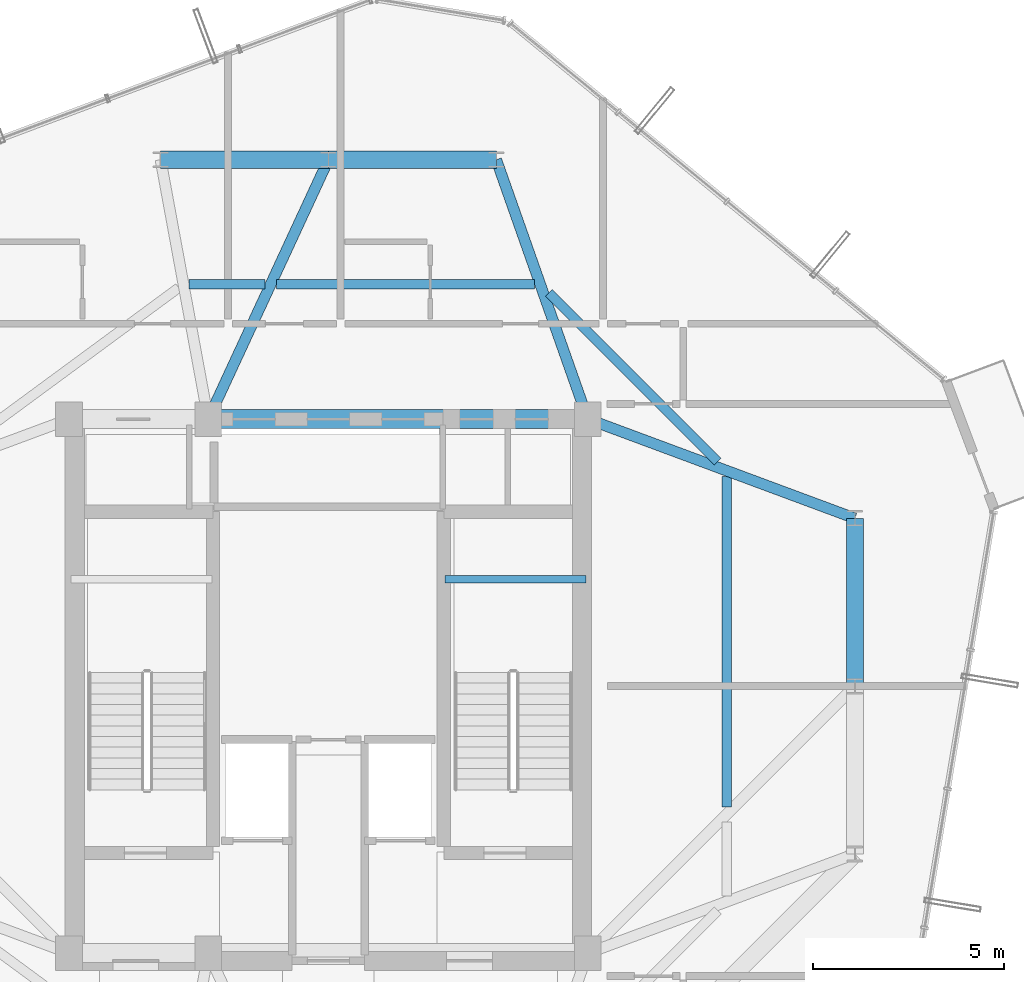
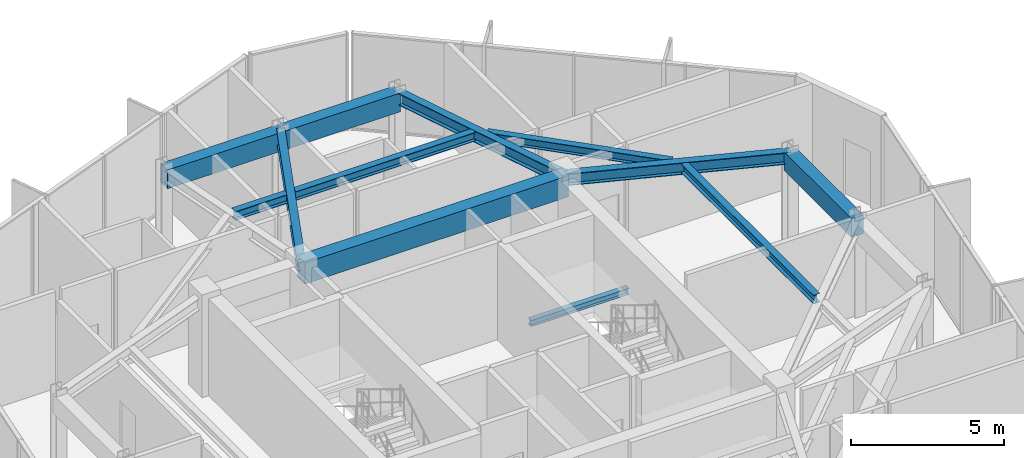
# One storey, part 11 of 22: 12 beams.
"""IFC4 building model written with IfcOpenShell, lengths in metres."""

from ifc_helpers import new_model, si_unit, direction, frame, origin, origin_2d, place, context, subcontext, project, spatial, rectangle, i_section, extrude, material, material_profile, profile_set, type_object, element, save


model = new_model("IFC4")

# Units and contexts
model_context = context("Model", 3, precision=1e-05, world=origin(), true_north=direction((0.0, 1.0)))
body_context = subcontext(model_context, "Body", "Model", "MODEL_VIEW")
ifc_project = project(units=[si_unit("LENGTHUNIT", "METRE"), si_unit("AREAUNIT", "SQUARE_METRE"), si_unit("VOLUMEUNIT", "CUBIC_METRE"), si_unit("PLANEANGLEUNIT", "RADIAN"), si_unit("MASSUNIT", "GRAM", prefix="KILO")], contexts=[model_context])

# Site, building, storey
site_placement = place(None, origin())
site = spatial("IfcSite", under=ifc_project, at=site_placement, CompositionType="ELEMENT")
building_placement = place(site_placement, origin())
building = spatial("IfcBuilding", under=site, at=building_placement, Name="Veraguas Prism Commons", CompositionType="ELEMENT")
storey_placement = place(building_placement, frame((0.0, 0.0, 240.64990234375)))
storey = spatial("IfcBuildingStorey", under=building, at=storey_placement, Name="L68", CompositionType="ELEMENT", Elevation=240.64990234375)

# Beams
ifc_material_1 = material(Name="Concrete C50/60", Category="concrete")
ifc_material_profile_1 = material_profile(ifc_material_1, rectangle(XDim=0.5, YDim=0.85009765625, at=origin_2d()), Name="RC500X850")
ifc_profile_set_1 = profile_set([ifc_material_profile_1], Name="Concrete C50/60")
beam_type_1 = type_object("IfcBeamType", Name="Core Coupling Beam RC 500x850", PredefinedType="BEAM", material=ifc_profile_set_1)
beam_1_placement = place(storey_placement, frame((20.85009765625, 31.0, 3.440185546875), z_axis=(1.0, 0.0, 0.0), x_axis=(0.0, 1.0, 0.0)))
element("IfcBeam", 1, at=beam_1_placement, inside=storey, type_object=beam_type_1, Name="Core Coupling Beam L68-CRN2", PredefinedType="BEAM", context=body_context, shape_type="SweptSolid", body=[
    extrude(rectangle(XDim=0.5, YDim=0.85009765625, at=origin_2d()), origin(), (0.0, 0.0, 1.0), 9.949951171875),
])
ifc_material_profile_2 = material_profile(ifc_material_1, rectangle(XDim=0.449951171875, YDim=0.75, at=origin_2d()), Name="RC450X750")
ifc_profile_set_2 = profile_set([ifc_material_profile_2], Name="Concrete C50/60")
beam_type_2 = type_object("IfcBeamType", Name="Perimeter Spandrel Upper RC 450x750", PredefinedType="SPANDREL", material=ifc_profile_set_2)
for number, where, z_axis, x_axis, name in (
    (2, (37.800048828125, 24.0, 3.489990234375), (0.0, 1.0, 0.0), (-1.0, 0.0, 0.0), "Perimeter Spandrel Beam L68-SP02"),
    (3, (28.39990234375, 37.800048828125, 3.489990234375), (-1.0, 0.0, 0.0), (0.0, -1.0, 0.0), "Perimeter Spandrel Beam L68-SP04"),
    (4, (24.0, 37.800048828125, 3.489990234375), (-1.0, 0.0, 0.0), (0.0, -1.0, 0.0), "Perimeter Spandrel Beam L68-SP05"),
):
    element("IfcBeam", number, at=place(storey_placement, frame(where, z_axis=z_axis, x_axis=x_axis)), inside=storey, type_object=beam_type_2, Name=name, PredefinedType="SPANDREL", context=body_context, shape_type="SweptSolid", body=[
        extrude(rectangle(XDim=0.449951171875, YDim=0.75, at=origin_2d()), origin(), (0.0, 0.0, 1.0), 4.39990234375),
    ])
ifc_material_2 = material(Name="Steel ASTM A992 Grade 50", Category="steel")
ifc_material_profile_3 = material_profile(ifc_material_2, i_section(OverallWidth=0.202880859375, OverallDepth=0.251953125, WebThickness=0.008056640625, FlangeThickness=0.013427734375, at=origin_2d()), Name="W250X58")
ifc_profile_set_3 = profile_set([ifc_material_profile_3], Name="Steel ASTM A992 Grade 50")
beam_type_3 = type_object("IfcBeamType", Name="Structural Opening Lintel W250x58", PredefinedType="LINTEL", material=ifc_profile_set_3)
beam_2_placement = place(storey_placement, frame((27.050048828125, 26.800048828125, 1.72412109375), z_axis=(1.0, 0.0, 0.0), x_axis=(0.0, 1.0, 0.0)))
element("IfcBeam", 5, at=beam_2_placement, inside=storey, type_object=beam_type_3, Name="Stair ST-02 Half-Landing Support Beam L68-1", PredefinedType="LINTEL", context=body_context, shape_type="SweptSolid", body=[
    extrude(i_section(OverallWidth=0.202880859375, OverallDepth=0.251953125, WebThickness=0.008056640625, FlangeThickness=0.013427734375, at=origin_2d()), origin(), (0.0, 0.0, 1.0), 3.699951171875),
])
ifc_material_profile_4 = material_profile(ifc_material_2, i_section(OverallWidth=0.25390625, OverallDepth=0.35302734375, WebThickness=0.009521484375, FlangeThickness=0.016357421875, at=origin_2d()), Name="W360X91")
ifc_profile_set_4 = profile_set([ifc_material_profile_4], Name="Steel ASTM A992 Grade 50")
beam_type_4 = type_object("IfcBeamType", Name="Upper Floor Joist W360x91", PredefinedType="JOIST", material=ifc_profile_set_4)
beam_3_placement = place(storey_placement, frame((34.43994140625, 20.83740234375, 3.6884765625), z_axis=(0.0, 1.0, 0.0), x_axis=(-1.0, 0.0, 0.0)))
element("IfcBeam", 6, at=beam_3_placement, inside=storey, type_object=beam_type_4, Name="Composite Floor Joist L68-JS02", PredefinedType="JOIST", context=body_context, shape_type="SweptSolid", body=[
    extrude(i_section(OverallWidth=0.25390625, OverallDepth=0.35302734375, WebThickness=0.009521484375, FlangeThickness=0.016357421875, at=origin_2d()), origin(), (0.0, 0.0, 1.0), 8.661865234375),
])
beam_4_placement = place(storey_placement, frame((34.203369140625, 29.884765625, 3.6884765625), z_axis=(-0.707126297541, 0.707087264294, 0.0), x_axis=(-0.707087264294, -0.707126297541, 0.0)))
element("IfcBeam", 7, at=beam_4_placement, inside=storey, type_object=beam_type_4, Name="Composite Floor Joist L68-JS03", PredefinedType="JOIST", context=body_context, shape_type="SweptSolid", body=[
    extrude(i_section(OverallWidth=0.25390625, OverallDepth=0.35302734375, WebThickness=0.009521484375, FlangeThickness=0.016357421875, at=origin_2d()), origin(), (0.0, 0.0, 1.0), 6.254638671875),
])
beam_5_placement = place(storey_placement, frame((29.404052734375, 34.535888671875, 3.6884765625), z_axis=(-1.0, 0.0, 0.0), x_axis=(0.0, -1.0, 0.0)))
element("IfcBeam", 8, at=beam_5_placement, inside=storey, type_object=beam_type_4, Name="Composite Floor Joist L68-JS04", PredefinedType="JOIST", context=body_context, shape_type="SweptSolid", body=[
    extrude(i_section(OverallWidth=0.25390625, OverallDepth=0.35302734375, WebThickness=0.009521484375, FlangeThickness=0.016357421875, at=origin_2d()), origin(), (0.0, 0.0, 1.0), 6.762451171875),
])
beam_6_placement = place(storey_placement, frame((22.334228515625, 34.535888671875, 3.6884765625), z_axis=(-1.0, 0.0, 0.0), x_axis=(0.0, -1.0, 0.0)))
element("IfcBeam", 9, at=beam_6_placement, inside=storey, type_object=beam_type_4, Name="Composite Floor Joist L68-JS05", PredefinedType="JOIST", context=body_context, shape_type="SweptSolid", body=[
    extrude(i_section(OverallWidth=0.25390625, OverallDepth=0.35302734375, WebThickness=0.009521484375, FlangeThickness=0.016357421875, at=origin_2d()), origin(), (0.0, 0.0, 1.0), 1.992431640625),
])
ifc_material_profile_5 = material_profile(ifc_material_2, i_section(OverallWidth=0.282958984375, OverallDepth=0.471923828125, WebThickness=0.013671875, FlangeThickness=0.022216796875, at=origin_2d()), Name="W460X144")
ifc_profile_set_5 = profile_set([ifc_material_profile_5], Name="Steel ASTM A992 Grade 50")
beam_type_5 = type_object("IfcBeamType", Name="Zone 4 Radial Girder W460x144", PredefinedType="BEAM", material=ifc_profile_set_5)
beam_7_placement = place(storey_placement, frame((37.800048828125, 28.39990234375, 3.629150390625), z_axis=(-0.937421003341, 0.348198021958, 0.0), x_axis=(-0.348198021958, -0.937421003341, 0.0)))
element("IfcBeam", 10, at=beam_7_placement, inside=storey, type_object=beam_type_5, Name="Radial Floor Girder L68-RD03", PredefinedType="BEAM", context=body_context, shape_type="SweptSolid", body=[
    extrude(i_section(OverallWidth=0.282958984375, OverallDepth=0.471923828125, WebThickness=0.013671875, FlangeThickness=0.022216796875, at=origin_2d()), origin(), (0.0, 0.0, 1.0), 7.46728515625),
])
beam_8_placement = place(storey_placement, frame((28.39990234375, 37.800048828125, 3.629150390625), z_axis=(0.332836055941, -0.942984708182, 0.0), x_axis=(0.942984708182, 0.332836055941, 0.0)))
element("IfcBeam", 11, at=beam_8_placement, inside=storey, type_object=beam_type_5, Name="Radial Floor Girder L68-RD04", PredefinedType="BEAM", context=body_context, shape_type="SweptSolid", body=[
    extrude(i_section(OverallWidth=0.282958984375, OverallDepth=0.471923828125, WebThickness=0.013671875, FlangeThickness=0.022216796875, at=origin_2d()), origin(), (0.0, 0.0, 1.0), 7.211181640625),
])
beam_9_placement = place(storey_placement, frame((24.0, 37.800048828125, 3.629150390625), z_axis=(-0.420313834543, -0.907378796585, 0.0), x_axis=(0.907378796585, -0.420313834543, 0.0)))
element("IfcBeam", 12, at=beam_9_placement, inside=storey, type_object=beam_type_5, Name="Radial Floor Girder L68-RD05", PredefinedType="BEAM", context=body_context, shape_type="SweptSolid", body=[
    extrude(i_section(OverallWidth=0.282958984375, OverallDepth=0.471923828125, WebThickness=0.013671875, FlangeThickness=0.022216796875, at=origin_2d()), origin(), (0.0, 0.0, 1.0), 7.494140625),
])

save(model, "model.ifc")
